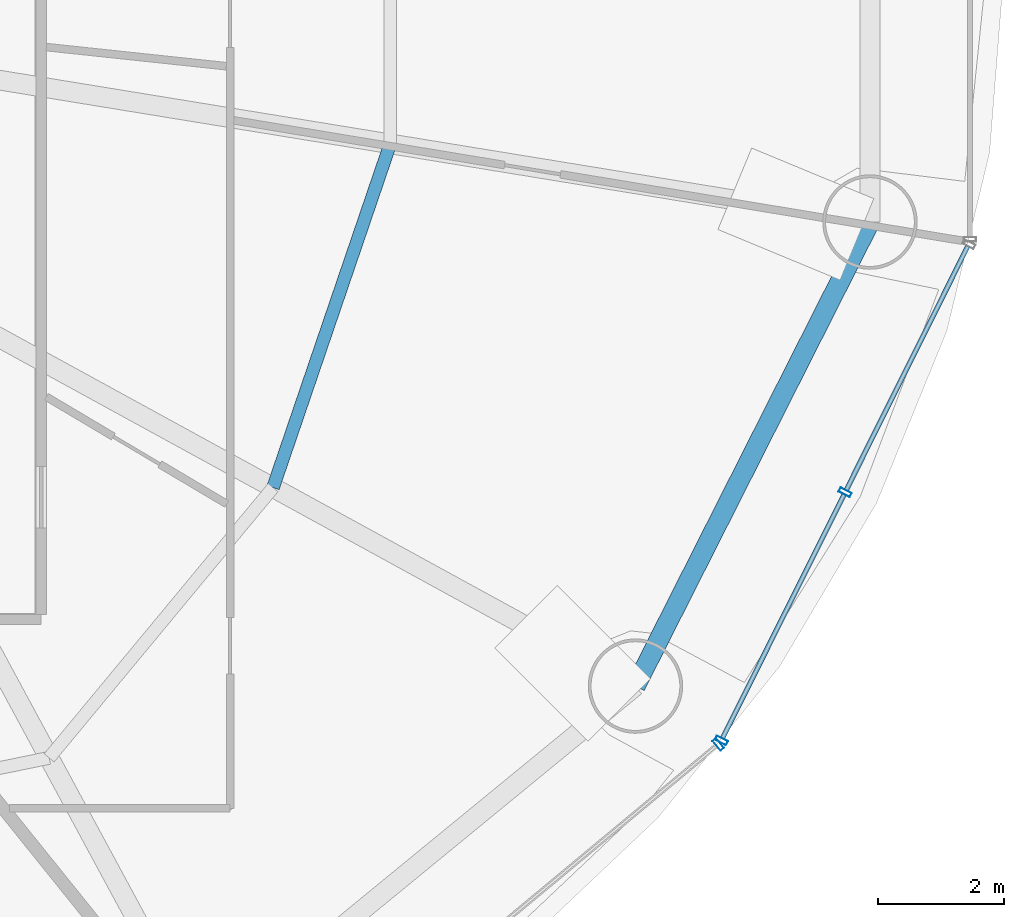
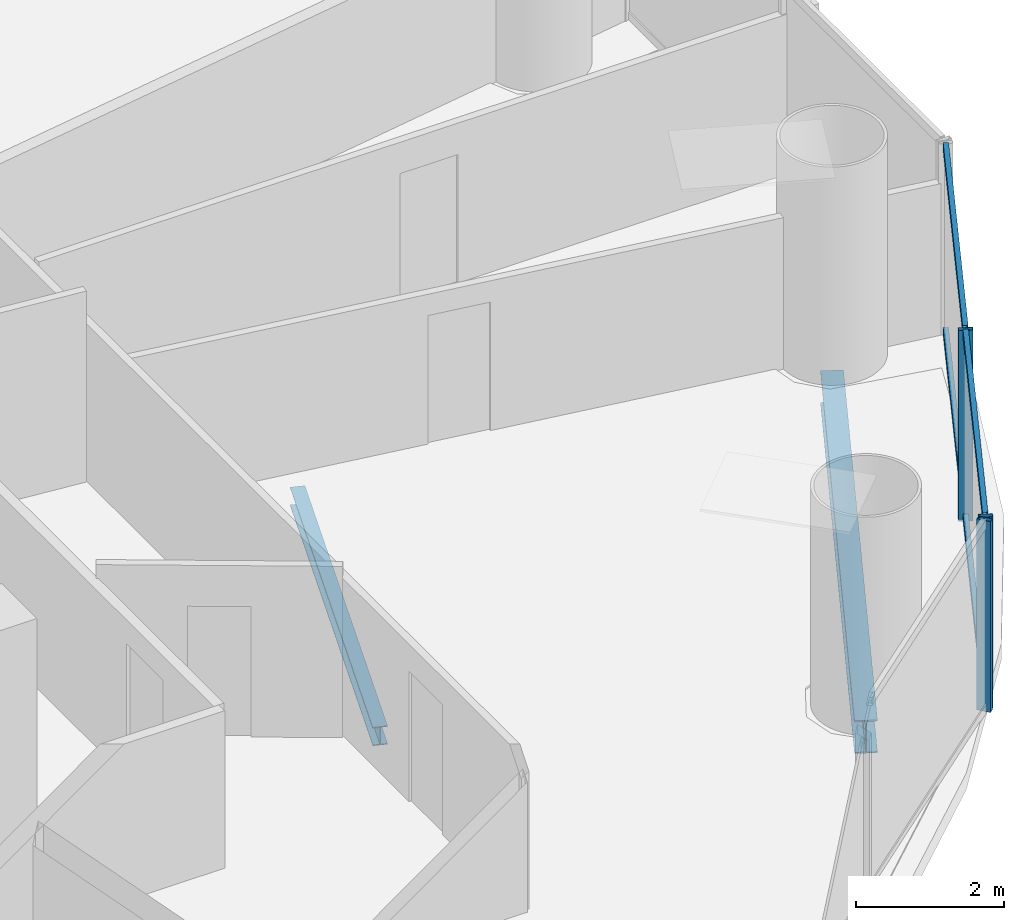
# One storey, part 13 of 29: 7 members, 2 beams, 2 elements without a shape of their own.
"""IFC4 building model written with IfcOpenShell, lengths in metres."""

from ifc_helpers import new_model, si_unit, direction, frame, origin, origin_2d, place, context, subcontext, project, spatial, hollow_rectangle, i_section, extrude, source, transform, mapped, material, material_profile, profile_set, type_object, element, aggregate, save


model = new_model("IFC4")

# Units and contexts
model_context = context("Model", 3, precision=1e-05, world=origin(), true_north=direction((-0.2419218956, 0.970295726276)))
body_context = subcontext(model_context, "Body", "Model", "MODEL_VIEW")
ifc_project = project(units=[si_unit("LENGTHUNIT", "METRE"), si_unit("AREAUNIT", "SQUARE_METRE"), si_unit("VOLUMEUNIT", "CUBIC_METRE"), si_unit("PLANEANGLEUNIT", "RADIAN"), si_unit("MASSUNIT", "GRAM", prefix="KILO")], contexts=[model_context])

# Site, building, storey
site_placement = place(None, origin())
site = spatial("IfcSite", under=ifc_project, at=site_placement, CompositionType="ELEMENT")
building_placement = place(site_placement, origin())
building = spatial("IfcBuilding", under=site, at=building_placement, Name="Cobrevalo Terracotta Tower", CompositionType="ELEMENT")
storey_placement = place(building_placement, frame((0.0, 0.0, 126.60009765625)))
storey = spatial("IfcBuildingStorey", under=building, at=storey_placement, Name="L33", CompositionType="ELEMENT", Elevation=126.60009765625)

# Beams
ifc_material_1 = material(Name="Steel S355", Category="steel")
ifc_material_profile_1 = material_profile(ifc_material_1, i_section(OverallWidth=0.2041015625, OverallDepth=0.305908203125, WebThickness=0.008544921875, FlangeThickness=0.0146484375, at=origin_2d()), Name="W 310x67")
ifc_profile_set_1 = profile_set([ifc_material_profile_1], Name="Steel S355")
beam_type_1 = type_object("IfcBeamType", Name="Structural Joist W 310x67 (Steel S355)", PredefinedType="JOIST", material=ifc_profile_set_1)
beam_1_placement = place(storey_placement, frame((52.987548828125, 18.591796875, -0.427978515625), z_axis=(0.322846227919, 0.946451431991, 0.0), x_axis=(-0.946451431991, 0.322846227919, 0.0)))
element("IfcBeam", 1, at=beam_1_placement, inside=storey, type_object=beam_type_1, Name="L33 circumferential secondary floor joist 15", PredefinedType="JOIST", context=body_context, shape_type="SweptSolid", body=[
    extrude(i_section(OverallWidth=0.2041015625, OverallDepth=0.305908203125, WebThickness=0.008544921875, FlangeThickness=0.0146484375, at=origin_2d()), origin(), (0.0, 0.0, 1.0), 5.77001953125),
])
ifc_material_profile_2 = material_profile(ifc_material_1, i_section(OverallWidth=0.31201171875, OverallDepth=0.54296875, WebThickness=0.0126953125, FlangeThickness=0.020263671875, at=origin_2d()), Name="W 530x150")
ifc_profile_set_2 = profile_set([ifc_material_profile_2], Name="Steel S355")
beam_type_2 = type_object("IfcBeamType", Name="Structural Spandrel W 530x150 (Steel S355)", PredefinedType="SPANDREL", material=ifc_profile_set_2)
beam_2_placement = place(storey_placement, frame((58.7451171875, 15.4384765625, -0.546630859375), z_axis=(0.451051982172, 0.892497680321, 0.0), x_axis=(-0.892497680321, 0.451051982172, 0.0)))
element("IfcBeam", 2, at=beam_2_placement, inside=storey, type_object=beam_type_2, Name="L33 perimeter ring spandrel 15", PredefinedType="SPANDREL", context=body_context, shape_type="SweptSolid", body=[
    extrude(i_section(OverallWidth=0.31201171875, OverallDepth=0.54296875, WebThickness=0.0126953125, FlangeThickness=0.020263671875, at=origin_2d()), origin(), (0.0, 0.0, 1.0), 8.259765625),
])

# Curtain wall, member
ifc_material_2 = material(Name="Anodized aluminium", Category="aluminium")
curtain_wall_type = type_object("IfcCurtainWallType", Name="Lower-tower unitised acoustic low-E curtain wall CW-U1", PredefinedType="NOTDEFINED", material=ifc_material_2)
curtain_wall_1_placement = place(storey_placement, origin())
curtain_wall_1 = element("IfcCurtainWall", 3, at=curtain_wall_1_placement, inside=storey, type_object=curtain_wall_type, Name="L33 curtain wall CW-L33-S14", PredefinedType="NOTDEFINED")
ifc_material_profile_3 = material_profile(ifc_material_2, hollow_rectangle(XDim=0.074951171875, YDim=0.199951171875, WallThickness=0.0048828125, at=origin_2d()), Name="CWM 75x200")
ifc_profile_set_3 = profile_set([ifc_material_profile_3], Name="Anodized aluminium")
member_type_1 = type_object("IfcMemberType", Name="Lower/mid tower unitised mullion 75x200", PredefinedType="MULLION", material=ifc_profile_set_3)
shared_shape_1 = source(origin(), body_context, "Body", "SweptSolid", [
    extrude(hollow_rectangle(XDim=0.074951171875, YDim=0.199951171875, WallThickness=0.0048828125, at=origin_2d()), origin(), (0.0, 0.0, 1.0), 3.14990234375),
])
member_1_placement = place(storey_placement, frame((60.061279296875, 14.512939453125, 0.0), z_axis=(0.0, 0.0, 1.0), x_axis=(0.769243451658, 0.638955798222, 0.0)))
member_1 = element("IfcMember", 4, at=member_1_placement, type_object=member_type_1, Name="CW-L33-S14 vertical mullion 03", PredefinedType="MULLION", context=body_context, shape_type="MappedRepresentation", body=[
    mapped(shared_shape_1, transform((0.0, 0.0, 0.0), scale=1.0)),
])
aggregate(curtain_wall_1, [member_1])

# Curtain wall, members
curtain_wall_2_placement = place(storey_placement, origin())
curtain_wall_2 = element("IfcCurtainWall", 5, at=curtain_wall_2_placement, inside=storey, type_object=curtain_wall_type, Name="L33 curtain wall CW-L33-S15", PredefinedType="NOTDEFINED")
member_2_placement = place(storey_placement, frame((60.110107421875, 14.574462890625, 0.0), z_axis=(0.0, 0.0, 1.0), x_axis=(0.446260290227, 0.894903208937, 0.0)))
member_2 = element("IfcMember", 6, at=member_2_placement, type_object=member_type_1, Name="CW-L33-S15 vertical mullion 01", PredefinedType="MULLION", context=body_context, shape_type="MappedRepresentation", body=[
    mapped(shared_shape_1, transform((0.0, 0.0, 0.0), scale=1.0)),
])
member_3_placement = place(storey_placement, frame((62.075927734375, 18.516357421875, 0.0), z_axis=(0.0, 0.0, 1.0), x_axis=(0.446260290227, 0.894903208937, 0.0)))
member_3 = element("IfcMember", 7, at=member_3_placement, type_object=member_type_1, Name="CW-L33-S15 vertical mullion 02", PredefinedType="MULLION", context=body_context, shape_type="MappedRepresentation", body=[
    mapped(shared_shape_1, transform((0.0, 0.0, 0.0), scale=1.0)),
])
ifc_material_profile_4 = material_profile(ifc_material_2, hollow_rectangle(XDim=0.074951171875, YDim=0.14990234375, WallThickness=0.00439453125, at=origin_2d()), Name="CWT 75x150")
ifc_profile_set_4 = profile_set([ifc_material_profile_4], Name="Anodized aluminium")
member_type_2 = type_object("IfcMemberType", Name="Tower unitised aluminium transom 75x150", PredefinedType="USERDEFINED", material=ifc_profile_set_4)
shared_shape_2 = source(origin(), body_context, "Body", "SweptSolid", [
    extrude(hollow_rectangle(XDim=0.074951171875, YDim=0.14990234375, WallThickness=0.00439453125, at=origin_2d()), origin(), (0.0, 0.0, 1.0), 4.324951171875),
])
member_4_placement = place(storey_placement, frame((60.1279296875, 14.610107421875, 0.0498046875), z_axis=(0.446219838389, 0.894923379864, 0.0), x_axis=(-0.894923379864, 0.446219838389, 0.0)))
member_4 = element("IfcMember", 8, at=member_4_placement, type_object=member_type_2, Name="CW-L33-S15 transom B01-T1", ObjectType="TRANSOM", PredefinedType="USERDEFINED", context=body_context, shape_type="MappedRepresentation", body=[
    mapped(shared_shape_2, transform((0.0, 0.0, 0.0), scale=1.0)),
])
member_5_placement = place(storey_placement, frame((60.1279296875, 14.610107421875, 3.099853515625), z_axis=(0.446219838389, 0.894923379864, 0.0), x_axis=(-0.894923379864, 0.446219838389, 0.0)))
member_5 = element("IfcMember", 9, at=member_5_placement, type_object=member_type_2, Name="CW-L33-S15 transom B01-T2", ObjectType="TRANSOM", PredefinedType="USERDEFINED", context=body_context, shape_type="MappedRepresentation", body=[
    mapped(shared_shape_2, transform((0.0, 0.0, 0.0), scale=1.0)),
])
member_6_placement = place(storey_placement, frame((62.09375, 18.55224609375, 0.0498046875), z_axis=(0.446219838389, 0.894923379864, 0.0), x_axis=(-0.894923379864, 0.446219838389, 0.0)))
member_6 = element("IfcMember", 10, at=member_6_placement, type_object=member_type_2, Name="CW-L33-S15 transom B02-T1", ObjectType="TRANSOM", PredefinedType="USERDEFINED", context=body_context, shape_type="MappedRepresentation", body=[
    mapped(shared_shape_2, transform((0.0, 0.0, 0.0), scale=1.0)),
])
member_7_placement = place(storey_placement, frame((62.09375, 18.55224609375, 3.099853515625), z_axis=(0.446219838389, 0.894923379864, 0.0), x_axis=(-0.894923379864, 0.446219838389, 0.0)))
member_7 = element("IfcMember", 11, at=member_7_placement, type_object=member_type_2, Name="CW-L33-S15 transom B02-T2", ObjectType="TRANSOM", PredefinedType="USERDEFINED", context=body_context, shape_type="MappedRepresentation", body=[
    mapped(shared_shape_2, transform((0.0, 0.0, 0.0), scale=1.0)),
])
aggregate(curtain_wall_2, [member_2, member_3, member_4, member_5, member_6, member_7])

save(model, "model.ifc")
